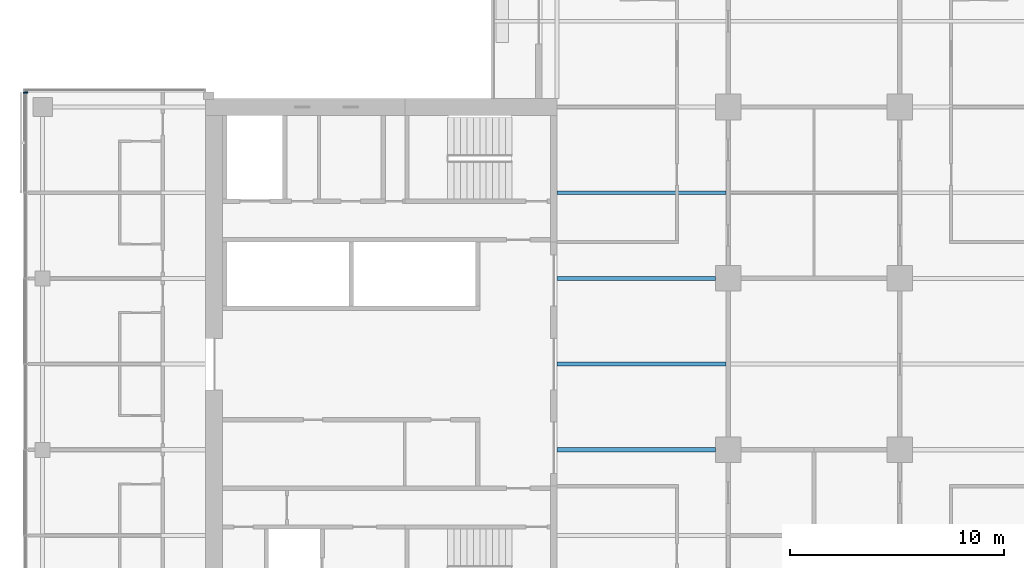
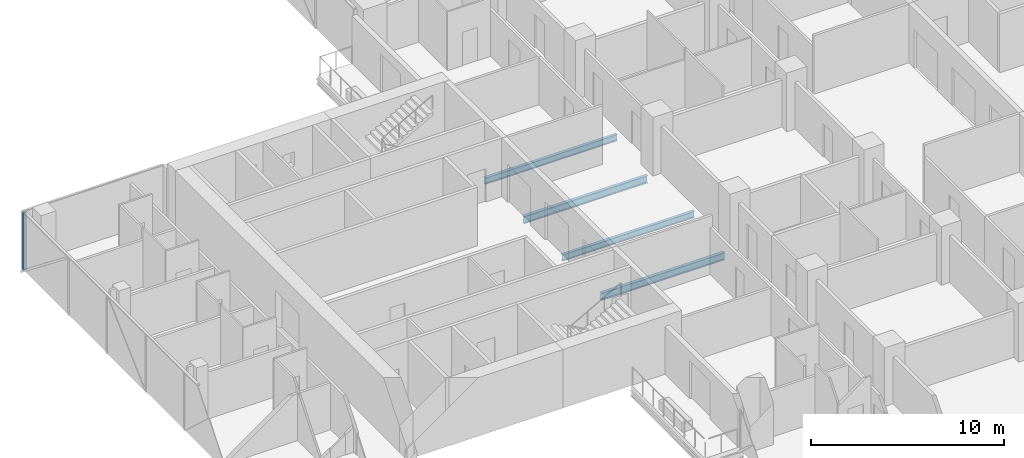
# One storey, part 7 of 29: 4 beams, 1 member, 1 element without a shape of its own.
"""IFC4 building model written with IfcOpenShell, lengths in metres."""

from ifc_helpers import new_model, si_unit, direction, frame, origin, origin_2d, place, context, subcontext, project, spatial, rectangle, i_section, extrude, material, material_profile, profile_set, type_object, element, aggregate, save


model = new_model("IFC4")

# Units and contexts
model_context = context("Model", 3, precision=1e-05, world=origin(), true_north=direction((0.0, 1.0)))
body_context = subcontext(model_context, "Body", "Model", "MODEL_VIEW")
ifc_project = project(units=[si_unit("LENGTHUNIT", "METRE"), si_unit("AREAUNIT", "SQUARE_METRE"), si_unit("VOLUMEUNIT", "CUBIC_METRE"), si_unit("PLANEANGLEUNIT", "RADIAN"), si_unit("MASSUNIT", "GRAM", prefix="KILO")], contexts=[model_context])

# Site, building, storey
site_placement = place(None, origin())
site = spatial("IfcSite", under=ifc_project, at=site_placement, CompositionType="ELEMENT")
building_placement = place(site_placement, origin())
building = spatial("IfcBuilding", under=site, at=building_placement, Name="Crosswind Convention Tower", CompositionType="ELEMENT")
storey_placement = place(building_placement, frame((0.0, 0.0, 57.199951171875)))
storey = spatial("IfcBuildingStorey", under=building, at=storey_placement, Name="L08", CompositionType="ELEMENT", Elevation=57.199951171875)

# Beams
ifc_material_1 = material(Name="Steel S355", Category="steel")
ifc_material_profile_1 = material_profile(ifc_material_1, i_section(OverallWidth=0.19189453125, OverallDepth=0.463623046875, WebThickness=0.010498046875, FlangeThickness=0.017578125, FilletRadius=0.01025390625, at=origin_2d()), Name="UB 457x191x90")
ifc_profile_set_1 = profile_set([ifc_material_profile_1], Name="Steel S355")
beam_type_1 = type_object("IfcBeamType", Name="Girder at core wall UB 457x191x90", PredefinedType="BEAM", material=ifc_profile_set_1)
for number, where, z_axis, x_axis, name in (
    (1, (113.0, 96.0, -0.51171875), (1.0, 0.0, 0.0), (0.0, 1.0, 0.0), "B24 L08 girder at core wall 4"),
    (2, (113.0, 104.0, -0.51171875), (1.0, 0.0, 0.0), (0.0, 1.0, 0.0), "B24 L08 girder at core wall 5"),
):
    element("IfcBeam", number, at=place(storey_placement, frame(where, z_axis=z_axis, x_axis=x_axis)), inside=storey, type_object=beam_type_1, Name=name, PredefinedType="BEAM", context=body_context, shape_type="SweptSolid", body=[
        extrude(i_section(OverallWidth=0.19189453125, OverallDepth=0.463623046875, WebThickness=0.010498046875, FlangeThickness=0.017578125, FilletRadius=0.01025390625, at=origin_2d()), origin(), (0.0, 0.0, 1.0), 7.39990234375),
    ])

# Curtain wall, member
ifc_material_2 = material(Name="Aluminium unitised curtain wall", Category="aluminium")
curtain_wall_type = type_object("IfcCurtainWallType", Name="HOTEL UNITISED WALL 200", PredefinedType="USERDEFINED", material=ifc_material_2)
curtain_wall_placement = place(storey_placement, origin())
curtain_wall = element("IfcCurtainWall", 3, at=curtain_wall_placement, inside=storey, type_object=curtain_wall_type, Name="CW2 L08 W-TIP 1", ObjectType="UNITISED", PredefinedType="USERDEFINED")
ifc_material_3 = material(Name="Aluminium mullion", Category="aluminium")
ifc_material_profile_2 = material_profile(ifc_material_3, rectangle(XDim=0.199951171875, YDim=0.06494140625, at=origin_2d()), Name="AL 200X65")
ifc_profile_set_2 = profile_set([ifc_material_profile_2], Name="Aluminium mullion")
member_type = type_object("IfcMemberType", Name="MULLION 65X200", PredefinedType="MULLION", material=ifc_profile_set_2)
member_placement = place(storey_placement, frame((88.199951171875, 112.66748046875, -0.280029296875), z_axis=(0.0, 0.0, 1.0), x_axis=(-1.0, 0.0, 0.0)))
member = element("IfcMember", 4, at=member_placement, type_object=member_type, Name="CW2 mullion 1", PredefinedType="MULLION", context=body_context, shape_type="SweptSolid", body=[
    extrude(rectangle(XDim=0.199951171875, YDim=0.06494140625, at=origin_2d()), origin(), (0.0, 0.0, 1.0), 3.635009765625),
])
aggregate(curtain_wall, [member])

# Beams
ifc_material_profile_3 = material_profile(ifc_material_1, i_section(OverallWidth=0.177734375, OverallDepth=0.406494140625, WebThickness=0.0078125, FlangeThickness=0.0126953125, FilletRadius=0.01025390625, at=origin_2d()), Name="UB 406x178x60")
ifc_profile_set_3 = profile_set([ifc_material_profile_3], Name="Steel S355")
beam_type_2 = type_object("IfcBeamType", Name="Secondary beam UB 406x178x60", PredefinedType="JOIST", material=ifc_profile_set_3)
for number, where, z_axis, x_axis, name in (
    (5, (113.0, 100.0, -0.483154296875), (1.0, 0.0, 0.0), (0.0, 1.0, 0.0), "B10 L08 secondary beam 5"),
    (6, (113.0, 108.0, -0.483154296875), (1.0, 0.0, 0.0), (0.0, 1.0, 0.0), "B10 L08 secondary beam 6"),
):
    element("IfcBeam", number, at=place(storey_placement, frame(where, z_axis=z_axis, x_axis=x_axis)), inside=storey, type_object=beam_type_2, Name=name, PredefinedType="JOIST", context=body_context, shape_type="SweptSolid", body=[
        extrude(i_section(OverallWidth=0.177734375, OverallDepth=0.406494140625, WebThickness=0.0078125, FlangeThickness=0.0126953125, FilletRadius=0.01025390625, at=origin_2d()), origin(), (0.0, 0.0, 1.0), 7.904296875),
    ])

save(model, "model.ifc")
